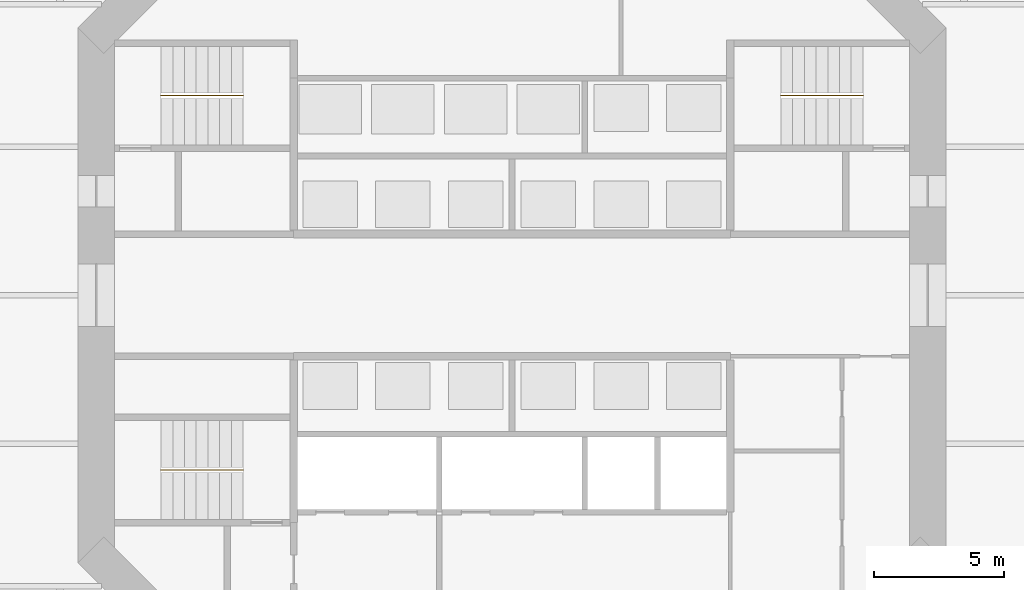
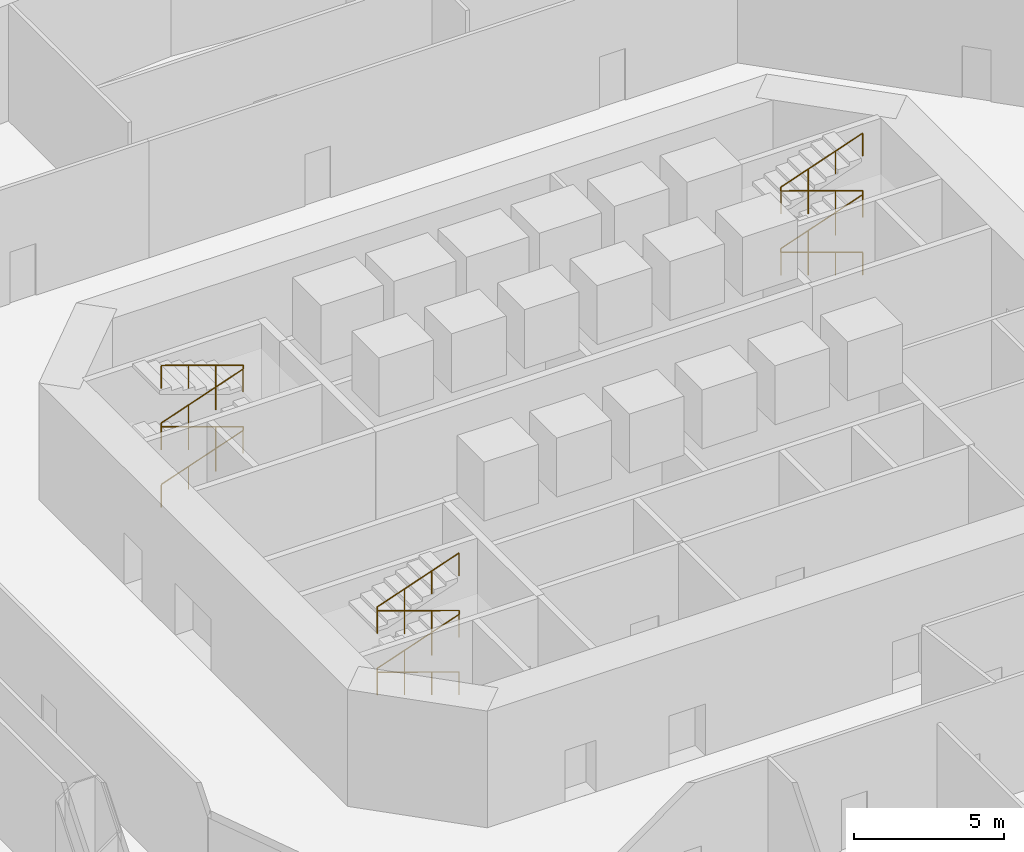
# One storey, part 10 of 11: 3 railings.
"""IFC4 building model written with IfcOpenShell, lengths in metres."""

from ifc_helpers import new_model, si_unit, direction, frame, origin, origin_2d, place, context, subcontext, project, spatial, circle, extrude, material, type_object, element, save


model = new_model("IFC4")

# Units and contexts
model_context = context("Model", 3, precision=1e-05, world=origin(), true_north=direction((0.0, 1.0)))
body_context = subcontext(model_context, "Body", "Model", "MODEL_VIEW")
ifc_project = project(units=[si_unit("LENGTHUNIT", "METRE"), si_unit("AREAUNIT", "SQUARE_METRE"), si_unit("VOLUMEUNIT", "CUBIC_METRE"), si_unit("PLANEANGLEUNIT", "RADIAN"), si_unit("MASSUNIT", "GRAM", prefix="KILO")], contexts=[model_context])

# Site, building, storey
site_placement = place(None, origin())
site = spatial("IfcSite", under=ifc_project, at=site_placement, CompositionType="ELEMENT")
building_placement = place(site_placement, origin())
building = spatial("IfcBuilding", under=site, at=building_placement, Name="Marenthal Gate Tower", CompositionType="ELEMENT")
storey_placement = place(building_placement, frame((0.0, 0.0, -5.0)))
storey = spatial("IfcBuildingStorey", under=building, at=storey_placement, Name="B1", CompositionType="ELEMENT", Elevation=-5.0)

# Railings
ifc_material = material(Name="Stainless steel", Category="steel")
railing_type = type_object("IfcRailingType", Name="Stair handrail", PredefinedType="HANDRAIL", material=ifc_material)
railing_1_placement = place(storey_placement, frame((-13.5, 7.675048828125, 0.15625)))
element("IfcRailing", 1, at=railing_1_placement, inside=storey, type_object=railing_type, Name="Handrail ST1", PredefinedType="HANDRAIL", context=body_context, shape_type="SweptSolid", body=[
    extrude(circle(Radius=0.0224609375, at=origin_2d()), frame((0.0, 0.0, 0.927490234375), z_axis=(0.944670513093, 0.0, 0.328020764118), x_axis=(0.0, 1.0, 0.0)), (0.0, 0.0, 1.0), 3.33447265625),
    extrude(circle(Radius=0.0224609375, at=origin_2d()), frame((3.14990234375, 0.0, 2.021240234375), z_axis=(0.0, 0.0, 1.0), x_axis=(1.0, 0.0, 0.0)), (0.0, 0.0, 1.0), 0.15625),
    extrude(circle(Radius=0.0224609375, at=origin_2d()), frame((3.14990234375, 0.0, 2.177490234375), z_axis=(-0.944670513093, 0.0, 0.328020764118), x_axis=(0.0, -1.0, 0.0)), (0.0, 0.0, 1.0), 3.33447265625),
    extrude(circle(Radius=0.0224609375, at=origin_2d()), frame((0.0, 0.0, 3.271240234375), z_axis=(0.0, 0.0, 1.0), x_axis=(1.0, 0.0, 0.0)), (0.0, 0.0, 1.0), 0.15625),
    extrude(circle(Radius=0.0224609375, at=origin_2d()), frame((0.0, 0.0, 3.427490234375), z_axis=(0.944670513093, 0.0, 0.328020764118), x_axis=(0.0, 1.0, 0.0)), (0.0, 0.0, 1.0), 3.33447265625),
    extrude(circle(Radius=0.0224609375, at=origin_2d()), frame((3.14990234375, 0.0, 4.521240234375), z_axis=(0.0, 0.0, 1.0), x_axis=(1.0, 0.0, 0.0)), (0.0, 0.0, 1.0), 0.15625),
    extrude(circle(Radius=0.0224609375, at=origin_2d()), frame((3.14990234375, 0.0, 4.677490234375), z_axis=(-0.944670513093, 0.0, 0.328020764118), x_axis=(0.0, -1.0, 0.0)), (0.0, 0.0, 1.0), 3.33447265625),
    extrude(circle(Radius=0.02001953125, at=origin_2d()), origin(), (0.0, 0.0, 1.0), 0.905029296875),
    extrude(circle(Radius=0.02001953125, at=origin_2d()), frame((1.050048828125, 0.0, 0.364501953125)), (0.0, 0.0, 1.0), 0.905029296875),
    extrude(circle(Radius=0.02001953125, at=origin_2d()), frame((2.099853515625, 0.0, 0.729248046875)), (0.0, 0.0, 1.0), 0.905029296875),
    extrude(circle(Radius=0.02001953125, at=origin_2d()), frame((3.14990234375, 0.0, 1.09375)), (0.0, 0.0, 1.0), 0.905029296875),
    extrude(circle(Radius=0.02001953125, at=origin_2d()), frame((3.14990234375, 0.0, 1.25)), (0.0, 0.0, 1.0), 0.905029296875),
    extrude(circle(Radius=0.02001953125, at=origin_2d()), frame((2.099853515625, 0.0, 1.614501953125)), (0.0, 0.0, 1.0), 0.905029296875),
    extrude(circle(Radius=0.02001953125, at=origin_2d()), frame((1.050048828125, 0.0, 1.979248046875)), (0.0, 0.0, 1.0), 0.905029296875),
    extrude(circle(Radius=0.02001953125, at=origin_2d()), frame((0.0, 0.0, 2.34375)), (0.0, 0.0, 1.0), 0.905029296875),
    extrude(circle(Radius=0.02001953125, at=origin_2d()), frame((0.0, 0.0, 2.5)), (0.0, 0.0, 1.0), 0.905029296875),
    extrude(circle(Radius=0.02001953125, at=origin_2d()), frame((1.050048828125, 0.0, 2.864501953125)), (0.0, 0.0, 1.0), 0.905029296875),
    extrude(circle(Radius=0.02001953125, at=origin_2d()), frame((2.099853515625, 0.0, 3.229248046875)), (0.0, 0.0, 1.0), 0.905029296875),
    extrude(circle(Radius=0.02001953125, at=origin_2d()), frame((3.14990234375, 0.0, 3.59375)), (0.0, 0.0, 1.0), 0.905029296875),
    extrude(circle(Radius=0.02001953125, at=origin_2d()), frame((3.14990234375, 0.0, 3.75)), (0.0, 0.0, 1.0), 0.905029296875),
    extrude(circle(Radius=0.02001953125, at=origin_2d()), frame((2.099853515625, 0.0, 4.114501953125)), (0.0, 0.0, 1.0), 0.905029296875),
    extrude(circle(Radius=0.02001953125, at=origin_2d()), frame((1.050048828125, 0.0, 4.479248046875)), (0.0, 0.0, 1.0), 0.905029296875),
    extrude(circle(Radius=0.02001953125, at=origin_2d()), frame((0.0, 0.0, 4.84375)), (0.0, 0.0, 1.0), 0.905029296875),
])
railing_2_placement = place(storey_placement, frame((-10.35009765625, -6.72509765625, 0.15625)))
element("IfcRailing", 2, at=railing_2_placement, inside=storey, type_object=railing_type, Name="Handrail ST2", PredefinedType="HANDRAIL", context=body_context, shape_type="SweptSolid", body=[
    extrude(circle(Radius=0.0224609375, at=origin_2d()), frame((0.0, 0.0, 0.927490234375), z_axis=(-0.944670513093, 0.0, 0.328020764118), x_axis=(0.0, -1.0, 0.0)), (0.0, 0.0, 1.0), 3.33447265625),
    extrude(circle(Radius=0.0224609375, at=origin_2d()), frame((-3.14990234375, 0.0, 2.021240234375), z_axis=(0.0, 0.0, 1.0), x_axis=(1.0, 0.0, 0.0)), (0.0, 0.0, 1.0), 0.15625),
    extrude(circle(Radius=0.0224609375, at=origin_2d()), frame((-3.14990234375, 0.0, 2.177490234375), z_axis=(0.944670513093, 0.0, 0.328020764118), x_axis=(0.0, 1.0, 0.0)), (0.0, 0.0, 1.0), 3.33447265625),
    extrude(circle(Radius=0.0224609375, at=origin_2d()), frame((0.0, 0.0, 3.271240234375), z_axis=(0.0, 0.0, 1.0), x_axis=(1.0, 0.0, 0.0)), (0.0, 0.0, 1.0), 0.15625),
    extrude(circle(Radius=0.0224609375, at=origin_2d()), frame((0.0, 0.0, 3.427490234375), z_axis=(-0.944670513093, 0.0, 0.328020764118), x_axis=(0.0, -1.0, 0.0)), (0.0, 0.0, 1.0), 3.33447265625),
    extrude(circle(Radius=0.0224609375, at=origin_2d()), frame((-3.14990234375, 0.0, 4.521240234375), z_axis=(0.0, 0.0, 1.0), x_axis=(1.0, 0.0, 0.0)), (0.0, 0.0, 1.0), 0.15625),
    extrude(circle(Radius=0.0224609375, at=origin_2d()), frame((-3.14990234375, 0.0, 4.677490234375), z_axis=(0.944670513093, 0.0, 0.328020764118), x_axis=(0.0, 1.0, 0.0)), (0.0, 0.0, 1.0), 3.33447265625),
    extrude(circle(Radius=0.02001953125, at=origin_2d()), origin(), (0.0, 0.0, 1.0), 0.905029296875),
    extrude(circle(Radius=0.02001953125, at=origin_2d()), frame((-1.050048828125, 0.0, 0.364501953125)), (0.0, 0.0, 1.0), 0.905029296875),
    extrude(circle(Radius=0.02001953125, at=origin_2d()), frame((-2.099853515625, 0.0, 0.729248046875)), (0.0, 0.0, 1.0), 0.905029296875),
    extrude(circle(Radius=0.02001953125, at=origin_2d()), frame((-3.14990234375, 0.0, 1.09375)), (0.0, 0.0, 1.0), 0.905029296875),
    extrude(circle(Radius=0.02001953125, at=origin_2d()), frame((-3.14990234375, 0.0, 1.25)), (0.0, 0.0, 1.0), 0.905029296875),
    extrude(circle(Radius=0.02001953125, at=origin_2d()), frame((-2.099853515625, 0.0, 1.614501953125)), (0.0, 0.0, 1.0), 0.905029296875),
    extrude(circle(Radius=0.02001953125, at=origin_2d()), frame((-1.050048828125, 0.0, 1.979248046875)), (0.0, 0.0, 1.0), 0.905029296875),
    extrude(circle(Radius=0.02001953125, at=origin_2d()), frame((0.0, 0.0, 2.34375)), (0.0, 0.0, 1.0), 0.905029296875),
    extrude(circle(Radius=0.02001953125, at=origin_2d()), frame((0.0, 0.0, 2.5)), (0.0, 0.0, 1.0), 0.905029296875),
    extrude(circle(Radius=0.02001953125, at=origin_2d()), frame((-1.050048828125, 0.0, 2.864501953125)), (0.0, 0.0, 1.0), 0.905029296875),
    extrude(circle(Radius=0.02001953125, at=origin_2d()), frame((-2.099853515625, 0.0, 3.229248046875)), (0.0, 0.0, 1.0), 0.905029296875),
    extrude(circle(Radius=0.02001953125, at=origin_2d()), frame((-3.14990234375, 0.0, 3.59375)), (0.0, 0.0, 1.0), 0.905029296875),
    extrude(circle(Radius=0.02001953125, at=origin_2d()), frame((-3.14990234375, 0.0, 3.75)), (0.0, 0.0, 1.0), 0.905029296875),
    extrude(circle(Radius=0.02001953125, at=origin_2d()), frame((-2.099853515625, 0.0, 4.114501953125)), (0.0, 0.0, 1.0), 0.905029296875),
    extrude(circle(Radius=0.02001953125, at=origin_2d()), frame((-1.050048828125, 0.0, 4.479248046875)), (0.0, 0.0, 1.0), 0.905029296875),
    extrude(circle(Radius=0.02001953125, at=origin_2d()), frame((0.0, 0.0, 4.84375)), (0.0, 0.0, 1.0), 0.905029296875),
])
railing_3_placement = place(storey_placement, frame((13.5, 7.675048828125, 0.15625)))
element("IfcRailing", 3, at=railing_3_placement, inside=storey, type_object=railing_type, Name="Handrail ST3", PredefinedType="HANDRAIL", context=body_context, shape_type="SweptSolid", body=[
    extrude(circle(Radius=0.0224609375, at=origin_2d()), frame((0.0, 0.0, 0.927490234375), z_axis=(-0.944670513093, 0.0, 0.328020764118), x_axis=(0.0, -1.0, 0.0)), (0.0, 0.0, 1.0), 3.33447265625),
    extrude(circle(Radius=0.0224609375, at=origin_2d()), frame((-3.14990234375, 0.0, 2.021240234375), z_axis=(0.0, 0.0, 1.0), x_axis=(1.0, 0.0, 0.0)), (0.0, 0.0, 1.0), 0.15625),
    extrude(circle(Radius=0.0224609375, at=origin_2d()), frame((-3.14990234375, 0.0, 2.177490234375), z_axis=(0.944670513093, 0.0, 0.328020764118), x_axis=(0.0, 1.0, 0.0)), (0.0, 0.0, 1.0), 3.33447265625),
    extrude(circle(Radius=0.0224609375, at=origin_2d()), frame((0.0, 0.0, 3.271240234375), z_axis=(0.0, 0.0, 1.0), x_axis=(1.0, 0.0, 0.0)), (0.0, 0.0, 1.0), 0.15625),
    extrude(circle(Radius=0.0224609375, at=origin_2d()), frame((0.0, 0.0, 3.427490234375), z_axis=(-0.944670513093, 0.0, 0.328020764118), x_axis=(0.0, -1.0, 0.0)), (0.0, 0.0, 1.0), 3.33447265625),
    extrude(circle(Radius=0.0224609375, at=origin_2d()), frame((-3.14990234375, 0.0, 4.521240234375), z_axis=(0.0, 0.0, 1.0), x_axis=(1.0, 0.0, 0.0)), (0.0, 0.0, 1.0), 0.15625),
    extrude(circle(Radius=0.0224609375, at=origin_2d()), frame((-3.14990234375, 0.0, 4.677490234375), z_axis=(0.944670513093, 0.0, 0.328020764118), x_axis=(0.0, 1.0, 0.0)), (0.0, 0.0, 1.0), 3.33447265625),
    extrude(circle(Radius=0.02001953125, at=origin_2d()), origin(), (0.0, 0.0, 1.0), 0.905029296875),
    extrude(circle(Radius=0.02001953125, at=origin_2d()), frame((-1.050048828125, 0.0, 0.364501953125)), (0.0, 0.0, 1.0), 0.905029296875),
    extrude(circle(Radius=0.02001953125, at=origin_2d()), frame((-2.099853515625, 0.0, 0.729248046875)), (0.0, 0.0, 1.0), 0.905029296875),
    extrude(circle(Radius=0.02001953125, at=origin_2d()), frame((-3.14990234375, 0.0, 1.09375)), (0.0, 0.0, 1.0), 0.905029296875),
    extrude(circle(Radius=0.02001953125, at=origin_2d()), frame((-3.14990234375, 0.0, 1.25)), (0.0, 0.0, 1.0), 0.905029296875),
    extrude(circle(Radius=0.02001953125, at=origin_2d()), frame((-2.099853515625, 0.0, 1.614501953125)), (0.0, 0.0, 1.0), 0.905029296875),
    extrude(circle(Radius=0.02001953125, at=origin_2d()), frame((-1.050048828125, 0.0, 1.979248046875)), (0.0, 0.0, 1.0), 0.905029296875),
    extrude(circle(Radius=0.02001953125, at=origin_2d()), frame((0.0, 0.0, 2.34375)), (0.0, 0.0, 1.0), 0.905029296875),
    extrude(circle(Radius=0.02001953125, at=origin_2d()), frame((0.0, 0.0, 2.5)), (0.0, 0.0, 1.0), 0.905029296875),
    extrude(circle(Radius=0.02001953125, at=origin_2d()), frame((-1.050048828125, 0.0, 2.864501953125)), (0.0, 0.0, 1.0), 0.905029296875),
    extrude(circle(Radius=0.02001953125, at=origin_2d()), frame((-2.099853515625, 0.0, 3.229248046875)), (0.0, 0.0, 1.0), 0.905029296875),
    extrude(circle(Radius=0.02001953125, at=origin_2d()), frame((-3.14990234375, 0.0, 3.59375)), (0.0, 0.0, 1.0), 0.905029296875),
    extrude(circle(Radius=0.02001953125, at=origin_2d()), frame((-3.14990234375, 0.0, 3.75)), (0.0, 0.0, 1.0), 0.905029296875),
    extrude(circle(Radius=0.02001953125, at=origin_2d()), frame((-2.099853515625, 0.0, 4.114501953125)), (0.0, 0.0, 1.0), 0.905029296875),
    extrude(circle(Radius=0.02001953125, at=origin_2d()), frame((-1.050048828125, 0.0, 4.479248046875)), (0.0, 0.0, 1.0), 0.905029296875),
    extrude(circle(Radius=0.02001953125, at=origin_2d()), frame((0.0, 0.0, 4.84375)), (0.0, 0.0, 1.0), 0.905029296875),
])

save(model, "model.ifc")
